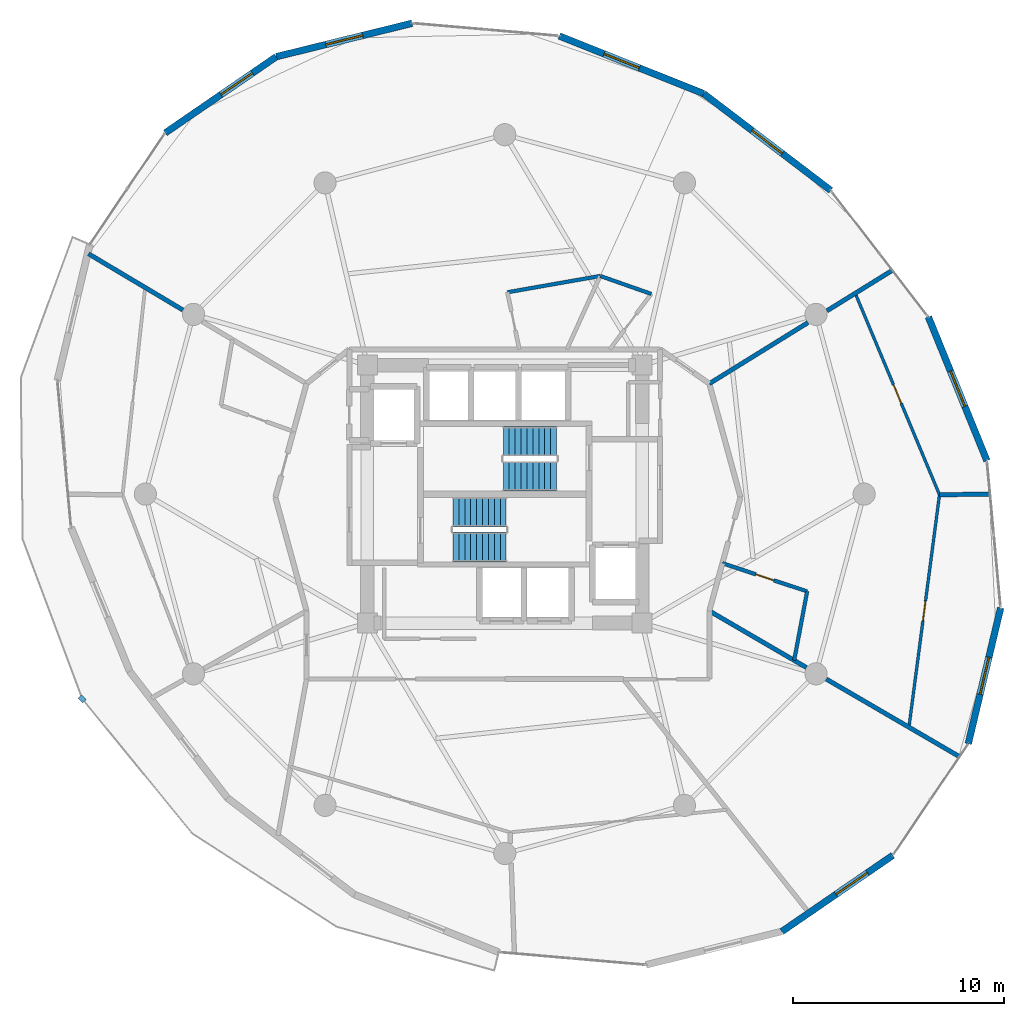
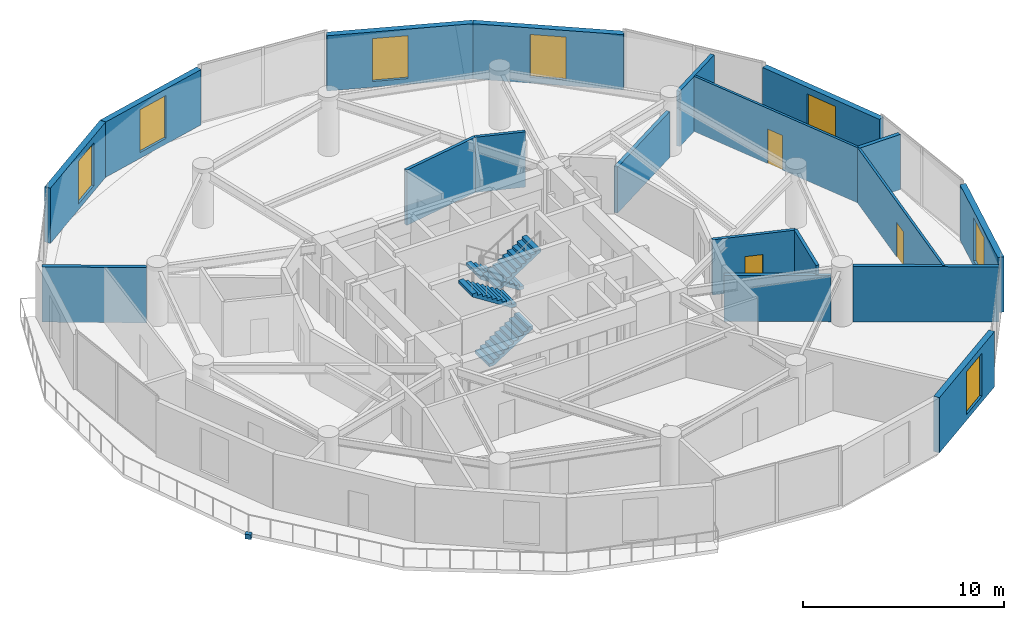
# One storey, part 20 of 22: 19 walls, 7 windows, 4 stair flights, 3 doors, 1 discrete accessory, 10 openings, 2 elements without a shape of their own.
"""IFC4 building model written with IfcOpenShell, lengths in metres."""

from ifc_helpers import new_model, si_unit, direction, frame, frame_2d, origin, origin_2d, place, context, subcontext, project, spatial, polyline, rectangle, outline, extrude, material, layer, layer_set, type_object, element, fill, aggregate, save


model = new_model("IFC4")

# Units and contexts
model_context = context("Model", 3, precision=1e-05, world=origin(), true_north=direction((0.0, 1.0)))
body_context = subcontext(model_context, "Body", "Model", "MODEL_VIEW")
ifc_project = project(units=[si_unit("LENGTHUNIT", "METRE"), si_unit("AREAUNIT", "SQUARE_METRE"), si_unit("VOLUMEUNIT", "CUBIC_METRE"), si_unit("PLANEANGLEUNIT", "RADIAN"), si_unit("MASSUNIT", "GRAM", prefix="KILO")], contexts=[model_context])

# Site, building, storey
site_placement = place(None, origin())
site = spatial("IfcSite", under=ifc_project, at=site_placement, CompositionType="ELEMENT")
building_placement = place(site_placement, origin())
building = spatial("IfcBuilding", under=site, at=building_placement, Name="Solvirekh Grand Hotel", CompositionType="ELEMENT")
storey_placement = place(building_placement, frame((0.0, 0.0, 145.800048828125)))
storey = spatial("IfcBuildingStorey", under=building, at=storey_placement, Name="L37", CompositionType="ELEMENT", Elevation=145.800048828125)

# Wall, opening, window
ifc_material_1 = material(Name="Precast concrete C45/55", Category="concrete")
ifc_layer_1 = layer(ifc_material_1, 0.320068359375)
ifc_layer_set_1 = layer_set([ifc_layer_1], Name="Precast concrete C45/55")
wall_type_1 = type_object("IfcWallType", Name="ExtLobbyWall_RC320", PredefinedType="SOLIDWALL", material=ifc_layer_set_1)
wall_1_placement = place(storey_placement, frame((23.4580078125, -5.3779296875, 0.0), z_axis=(0.0, 0.0, 1.0), x_axis=(-0.231941586556, -0.972729716019, 0.0)))
wall_1 = element("IfcWall", 1, at=wall_1_placement, inside=storey, type_object=wall_type_1, Name="L37 exterior structural wall chord 2", PredefinedType="SOLIDWALL", context=body_context, shape_type="SweptSolid", body=[
    extrude(rectangle(XDim=6.613525390625, YDim=0.320068359375, at=frame_2d((3.306640625, 0.0))), origin(), (0.0, 0.0, 1.0), 3.349853515625),
])
opening_1_placement = place(wall_1_placement, frame((2.406982421875, 0.0, 0.35009765625)))
opening_1 = element("IfcOpeningElement", 2, at=opening_1_placement, cuts=wall_1, Name="Opening W02", PredefinedType="OPENING", context=body_context, shape_type="SweptSolid", body=[
    extrude(rectangle(XDim=1.800048828125, YDim=2.60009765625, at=frame_2d((0.89990234375, 1.300048828125))), frame((0.0, 0.169921875, 0.0), z_axis=(0.0, -1.0, 0.0), x_axis=(1.0, 0.0, 0.0)), (0.0, 0.0, 1.0), 0.340087890625),
])
ifc_material_2 = material(Name="Low-E Tinted Bronze Laminated Glass", Category="aluminium")
window_type = type_object("IfcWindowType", Name="Win_LobbyExt_1800X2600", PartitioningType="SINGLE_PANEL", PredefinedType="WINDOW", material=ifc_material_2)
window_1_placement = place(opening_1_placement, origin())
window_1 = element("IfcWindow", 3, at=window_1_placement, inside=storey, type_object=window_type, Name="L37 panoramic bronze-framed window 2", OverallHeight=2.60009765625, OverallWidth=1.800048828125, PartitioningType="SINGLE_PANEL", PredefinedType="WINDOW", context=body_context, shape_type="SweptSolid", body=[
    extrude(rectangle(XDim=1.800048828125, YDim=2.60009765625, at=frame_2d((0.89990234375, 1.300048828125))), frame((0.0, 0.030029296875, 0.0), z_axis=(0.0, -1.0, 0.0), x_axis=(1.0, 0.0, 0.0)), (0.0, 0.0, 1.0), 0.06005859375),
])
fill(opening_1, window_1)

wall_2_placement = place(storey_placement, frame((20.0380859375, 8.385009765625, 0.0), z_axis=(0.0, 0.0, 1.0), x_axis=(0.377067798902, -0.926185659051, 0.0)))
wall_2 = element("IfcWall", 4, at=wall_2_placement, inside=storey, type_object=wall_type_1, Name="L37 exterior structural wall chord 4", PredefinedType="SOLIDWALL", context=body_context, shape_type="SweptSolid", body=[
    extrude(rectangle(XDim=7.34619140625, YDim=0.320068359375, at=frame_2d((3.673095703125, 0.0))), origin(), (0.0, 0.0, 1.0), 3.349853515625),
])
opening_2_placement = place(wall_2_placement, frame((2.77294921875, 0.0, 0.35009765625)))
opening_2 = element("IfcOpeningElement", 5, at=opening_2_placement, cuts=wall_2, Name="Opening W02", PredefinedType="OPENING", context=body_context, shape_type="SweptSolid", body=[
    extrude(rectangle(XDim=1.800048828125, YDim=2.60009765625, at=frame_2d((0.89990234375, 1.300048828125))), frame((0.0, 0.169921875, 0.0), z_axis=(0.0, -1.0, 0.0), x_axis=(1.0, 0.0, 0.0)), (0.0, 0.0, 1.0), 0.340087890625),
])
window_2_placement = place(opening_2_placement, origin())
window_2 = element("IfcWindow", 6, at=window_2_placement, inside=storey, type_object=window_type, Name="L37 panoramic bronze-framed window 4", OverallHeight=2.60009765625, OverallWidth=1.800048828125, PartitioningType="SINGLE_PANEL", PredefinedType="WINDOW", context=body_context, shape_type="SweptSolid", body=[
    extrude(rectangle(XDim=1.800048828125, YDim=2.60009765625, at=frame_2d((0.89990234375, 1.300048828125))), frame((0.0, 0.030029296875, 0.0), z_axis=(0.0, -1.0, 0.0), x_axis=(1.0, 0.0, 0.0)), (0.0, 0.0, 1.0), 0.06005859375),
])
fill(opening_2, window_2)

wall_3_placement = place(storey_placement, frame((9.403076171875, 18.946044921875, 0.0), z_axis=(0.0, 0.0, 1.0), x_axis=(0.795837829304, -0.605509826054, 0.0)))
wall_3 = element("IfcWall", 7, at=wall_3_placement, inside=storey, type_object=wall_type_1, Name="L37 exterior structural wall chord 6", PredefinedType="SOLIDWALL", context=body_context, shape_type="SweptSolid", body=[
    extrude(rectangle(XDim=7.55908203125, YDim=0.320068359375, at=frame_2d((3.779541015625, 0.0))), origin(), (0.0, 0.0, 1.0), 3.349853515625),
])
opening_3_placement = place(wall_3_placement, frame((2.8798828125, 0.0, 0.35009765625)))
opening_3 = element("IfcOpeningElement", 8, at=opening_3_placement, cuts=wall_3, Name="Opening W02", PredefinedType="OPENING", context=body_context, shape_type="SweptSolid", body=[
    extrude(rectangle(XDim=1.800048828125, YDim=2.60009765625, at=frame_2d((0.89990234375, 1.300048828125))), frame((0.0, 0.169921875, 0.0), z_axis=(0.0, -1.0, 0.0), x_axis=(1.0, 0.0, 0.0)), (0.0, 0.0, 1.0), 0.340087890625),
])
window_3_placement = place(opening_3_placement, origin())
window_3 = element("IfcWindow", 9, at=window_3_placement, inside=storey, type_object=window_type, Name="L37 panoramic bronze-framed window 6", OverallHeight=2.60009765625, OverallWidth=1.800048828125, PartitioningType="SINGLE_PANEL", PredefinedType="WINDOW", context=body_context, shape_type="SweptSolid", body=[
    extrude(rectangle(XDim=1.800048828125, YDim=2.60009765625, at=frame_2d((0.89990234375, 1.300048828125))), frame((0.0, 0.030029296875, 0.0), z_axis=(0.0, -1.0, 0.0), x_axis=(1.0, 0.0, 0.0)), (0.0, 0.0, 1.0), 0.06005859375),
])
fill(opening_3, window_3)

wall_4_placement = place(storey_placement, frame((2.580078125, 21.66796875, 0.0), z_axis=(0.0, 0.0, 1.0), x_axis=(0.928817816333, -0.37053672431, 0.0)))
wall_4 = element("IfcWall", 10, at=wall_4_placement, inside=storey, type_object=wall_type_1, Name="L37 exterior structural wall chord 7", PredefinedType="SOLIDWALL", context=body_context, shape_type="SweptSolid", body=[
    extrude(rectangle(XDim=7.345947265625, YDim=0.320068359375, at=frame_2d((3.6728515625, 0.0))), origin(), (0.0, 0.0, 1.0), 3.349853515625),
])
opening_4_placement = place(wall_4_placement, frame((2.280029296875, 0.0, 0.35009765625)))
opening_4 = element("IfcOpeningElement", 11, at=opening_4_placement, cuts=wall_4, Name="Opening W02", PredefinedType="OPENING", context=body_context, shape_type="SweptSolid", body=[
    extrude(rectangle(XDim=1.800048828125, YDim=2.60009765625, at=frame_2d((0.89990234375, 1.300048828125))), frame((0.0, 0.169921875, 0.0), z_axis=(0.0, -1.0, 0.0), x_axis=(1.0, 0.0, 0.0)), (0.0, 0.0, 1.0), 0.340087890625),
])
window_4_placement = place(opening_4_placement, origin())
window_4 = element("IfcWindow", 12, at=window_4_placement, inside=storey, type_object=window_type, Name="L37 panoramic bronze-framed window 7", OverallHeight=2.60009765625, OverallWidth=1.800048828125, PartitioningType="SINGLE_PANEL", PredefinedType="WINDOW", context=body_context, shape_type="SweptSolid", body=[
    extrude(rectangle(XDim=1.800048828125, YDim=2.60009765625, at=frame_2d((0.89990234375, 1.300048828125))), frame((0.0, 0.030029296875, 0.0), z_axis=(0.0, -1.0, 0.0), x_axis=(1.0, 0.0, 0.0)), (0.0, 0.0, 1.0), 0.06005859375),
])
fill(opening_4, window_4)

wall_5_placement = place(storey_placement, frame((-10.805908203125, 20.69091796875, 0.0), z_axis=(0.0, 0.0, 1.0), x_axis=(0.971073377094, 0.238781272926, 0.0)))
wall_5 = element("IfcWall", 13, at=wall_5_placement, inside=storey, type_object=wall_type_1, Name="L37 exterior structural wall chord 9", PredefinedType="SOLIDWALL", context=body_context, shape_type="SweptSolid", body=[
    extrude(rectangle(XDim=6.61328125, YDim=0.320068359375, at=frame_2d((3.306640625, 0.0))), origin(), (0.0, 0.0, 1.0), 3.349853515625),
])
opening_5_placement = place(wall_5_placement, frame((2.406982421875, 0.0, 0.35009765625)))
opening_5 = element("IfcOpeningElement", 14, at=opening_5_placement, cuts=wall_5, Name="Opening W02", PredefinedType="OPENING", context=body_context, shape_type="SweptSolid", body=[
    extrude(rectangle(XDim=1.800048828125, YDim=2.60009765625, at=frame_2d((0.89990234375, 1.300048828125))), frame((0.0, 0.169921875, 0.0), z_axis=(0.0, -1.0, 0.0), x_axis=(1.0, 0.0, 0.0)), (0.0, 0.0, 1.0), 0.340087890625),
])
window_5_placement = place(opening_5_placement, origin())
window_5 = element("IfcWindow", 15, at=window_5_placement, inside=storey, type_object=window_type, Name="L37 panoramic bronze-framed window 9", OverallHeight=2.60009765625, OverallWidth=1.800048828125, PartitioningType="SINGLE_PANEL", PredefinedType="WINDOW", context=body_context, shape_type="SweptSolid", body=[
    extrude(rectangle(XDim=1.800048828125, YDim=2.60009765625, at=frame_2d((0.89990234375, 1.300048828125))), frame((0.0, 0.030029296875, 0.0), z_axis=(0.0, -1.0, 0.0), x_axis=(1.0, 0.0, 0.0)), (0.0, 0.0, 1.0), 0.06005859375),
])
fill(opening_5, window_5)

wall_6_placement = place(storey_placement, frame((-16.056884765625, 17.0869140625, 0.0), z_axis=(0.0, 0.0, 1.0), x_axis=(0.824484596177, 0.565884396911, 0.0)))
wall_6 = element("IfcWall", 16, at=wall_6_placement, inside=storey, type_object=wall_type_1, Name="L37 exterior structural wall chord 10", PredefinedType="SOLIDWALL", context=body_context, shape_type="SweptSolid", body=[
    extrude(rectangle(XDim=6.368896484375, YDim=0.320068359375, at=frame_2d((3.1845703125, 0.0))), origin(), (0.0, 0.0, 1.0), 3.349853515625),
])
opening_6_placement = place(wall_6_placement, frame((3.200927734375, 0.0, 0.35009765625)))
opening_6 = element("IfcOpeningElement", 17, at=opening_6_placement, cuts=wall_6, Name="Opening W02", PredefinedType="OPENING", context=body_context, shape_type="SweptSolid", body=[
    extrude(rectangle(XDim=1.800048828125, YDim=2.60009765625, at=frame_2d((0.89990234375, 1.300048828125))), frame((0.0, 0.169921875, 0.0), z_axis=(0.0, -1.0, 0.0), x_axis=(1.0, 0.0, 0.0)), (0.0, 0.0, 1.0), 0.340087890625),
])
window_6_placement = place(opening_6_placement, origin())
window_6 = element("IfcWindow", 18, at=window_6_placement, inside=storey, type_object=window_type, Name="L37 panoramic bronze-framed window 10", OverallHeight=2.60009765625, OverallWidth=1.800048828125, PartitioningType="SINGLE_PANEL", PredefinedType="WINDOW", context=body_context, shape_type="SweptSolid", body=[
    extrude(rectangle(XDim=1.800048828125, YDim=2.60009765625, at=frame_2d((0.89990234375, 1.300048828125))), frame((0.0, 0.030029296875, 0.0), z_axis=(0.0, -1.0, 0.0), x_axis=(1.0, 0.0, 0.0)), (0.0, 0.0, 1.0), 0.06005859375),
])
fill(opening_6, window_6)

wall_7_placement = place(storey_placement, frame((18.35693359375, -17.0869140625, 0.0), z_axis=(0.0, 0.0, 1.0), x_axis=(-0.824484596177, -0.565884396911, 0.0)))
wall_7 = element("IfcWall", 19, at=wall_7_placement, inside=storey, type_object=wall_type_1, Name="L37 exterior structural wall chord 20", PredefinedType="SOLIDWALL", context=body_context, shape_type="SweptSolid", body=[
    extrude(rectangle(XDim=6.368896484375, YDim=0.320068359375, at=frame_2d((3.1845703125, 0.0))), origin(), (0.0, 0.0, 1.0), 3.349853515625),
])
opening_7_placement = place(wall_7_placement, frame((1.455078125, 0.0, 0.35009765625)))
opening_7 = element("IfcOpeningElement", 20, at=opening_7_placement, cuts=wall_7, Name="Opening W02", PredefinedType="OPENING", context=body_context, shape_type="SweptSolid", body=[
    extrude(rectangle(XDim=1.800048828125, YDim=2.60009765625, at=frame_2d((0.89990234375, 1.300048828125))), frame((0.0, 0.169921875, 0.0), z_axis=(0.0, -1.0, 0.0), x_axis=(1.0, 0.0, 0.0)), (0.0, 0.0, 1.0), 0.340087890625),
])
window_7_placement = place(opening_7_placement, origin())
window_7 = element("IfcWindow", 21, at=window_7_placement, inside=storey, type_object=window_type, Name="L37 panoramic bronze-framed window 20", OverallHeight=2.60009765625, OverallWidth=1.800048828125, PartitioningType="SINGLE_PANEL", PredefinedType="WINDOW", context=body_context, shape_type="SweptSolid", body=[
    extrude(rectangle(XDim=1.800048828125, YDim=2.60009765625, at=frame_2d((0.89990234375, 1.300048828125))), frame((0.0, 0.030029296875, 0.0), z_axis=(0.0, -1.0, 0.0), x_axis=(1.0, 0.0, 0.0)), (0.0, 0.0, 1.0), 0.06005859375),
])
fill(opening_7, window_7)

# Wall, opening, door
ifc_material_3 = material(Name="Acoustic Gypsum Partition Assembly")
ifc_layer_2 = layer(ifc_material_3, 0.135009765625)
ifc_layer_set_2 = layer_set([ifc_layer_2], Name="Acoustic Gypsum Partition Assembly")
wall_type_2 = type_object("IfcWallType", Name="Part_RoomInt_135", PredefinedType="PARTITIONING", material=ifc_layer_set_2)
wall_8_placement = place(storey_placement, frame((19.117919921875, -11.02490234375, 0.0), z_axis=(0.0, 0.0, 1.0), x_axis=(0.130310428057, 0.991473243381, 0.0)))
wall_8 = element("IfcWall", 22, at=wall_8_placement, inside=storey, type_object=wall_type_2, Name="L37 Executive Suite 3904 Living Room bedroom screen wall", PredefinedType="PARTITIONING", context=body_context, shape_type="SweptSolid", body=[
    extrude(rectangle(XDim=11.08935546875, YDim=0.135009765625, at=frame_2d((5.544677734375, 0.0))), origin(), (0.0, 0.0, 1.0), 3.349853515625),
])
opening_8_placement = place(wall_8_placement, frame((5.070068359375, 0.0, 0.0)))
opening_8 = element("IfcOpeningElement", 23, at=opening_8_placement, cuts=wall_8, Name="Opening D10", PredefinedType="OPENING", context=body_context, shape_type="SweptSolid", body=[
    extrude(rectangle(XDim=0.949951171875, YDim=2.10009765625, at=frame_2d((0.47509765625, 1.050048828125))), frame((0.0, 0.07763671875, 0.0), z_axis=(0.0, -1.0, 0.0), x_axis=(1.0, 0.0, 0.0)), (0.0, 0.0, 1.0), 0.155029296875),
])
ifc_material_4 = material(Name="Anodized Bronze Aluminium 6063-T6", Category="aluminium")
door_type_1 = type_object("IfcDoorType", Name="Door_RoomInt_950X2100", OperationType="NOTDEFINED", PredefinedType="DOOR", material=ifc_material_4)
door_1_placement = place(opening_8_placement, origin())
door_1 = element("IfcDoor", 24, at=door_1_placement, inside=storey, type_object=door_type_1, Name="L37 Executive Suite 3904 Living Room master bedroom door", OperationType="SINGLE_SWING_LEFT", OverallHeight=2.10009765625, OverallWidth=0.949951171875, PredefinedType="DOOR", context=body_context, shape_type="SweptSolid", body=[
    extrude(rectangle(XDim=0.949951171875, YDim=2.10009765625, at=frame_2d((0.47509765625, 1.050048828125))), frame((0.0, 0.02490234375, 0.0), z_axis=(0.0, -1.0, 0.0), x_axis=(1.0, 0.0, 0.0)), (0.0, 0.0, 1.0), 0.050048828125),
])
fill(opening_8, door_1)

wall_9_placement = place(storey_placement, frame((20.56298828125, -0.030029296875, 0.0), z_axis=(0.0, 0.0, 1.0), x_axis=(-0.385825151615, 0.922571922606, 0.0)))
wall_9 = element("IfcWall", 25, at=wall_9_placement, inside=storey, type_object=wall_type_2, Name="L37 Executive Suite 3904 Panorama Suite Study bedroom screen wall", PredefinedType="PARTITIONING", context=body_context, shape_type="SweptSolid", body=[
    extrude(rectangle(XDim=10.328857421875, YDim=0.135009765625, at=frame_2d((5.16455078125, 0.0))), origin(), (0.0, 0.0, 1.0), 3.349853515625),
])
opening_9_placement = place(wall_9_placement, frame((4.68896484375, 0.0, 0.0)))
opening_9 = element("IfcOpeningElement", 26, at=opening_9_placement, cuts=wall_9, Name="Opening D10", PredefinedType="OPENING", context=body_context, shape_type="SweptSolid", body=[
    extrude(rectangle(XDim=0.949951171875, YDim=2.10009765625, at=frame_2d((0.47509765625, 1.050048828125))), frame((0.0, 0.07763671875, 0.0), z_axis=(0.0, -1.0, 0.0), x_axis=(1.0, 0.0, 0.0)), (0.0, 0.0, 1.0), 0.155029296875),
])
door_2_placement = place(opening_9_placement, origin())
door_2 = element("IfcDoor", 27, at=door_2_placement, inside=storey, type_object=door_type_1, Name="L37 Executive Suite 3904 Panorama Suite Study master bedroom door", OperationType="SINGLE_SWING_RIGHT", OverallHeight=2.10009765625, OverallWidth=0.949951171875, PredefinedType="DOOR", context=body_context, shape_type="SweptSolid", body=[
    extrude(rectangle(XDim=0.949951171875, YDim=2.10009765625, at=frame_2d((0.47509765625, 1.050048828125))), frame((0.0, 0.02490234375, 0.0), z_axis=(0.0, -1.0, 0.0), x_axis=(1.0, 0.0, 0.0)), (0.0, 0.0, 1.0), 0.050048828125),
])
fill(opening_9, door_2)

# Walls
ifc_layer_3 = layer(ifc_material_3, 0.2099609375)
ifc_layer_set_3 = layer_set([ifc_layer_3], Name="Acoustic Gypsum Partition Assembly")
wall_type_3 = type_object("IfcWallType", Name="Part_SuiteDemise_210", PredefinedType="PARTITIONING", material=ifc_layer_set_3)
wall_10_placement = place(storey_placement, frame((9.676025390625, 5.22509765625, 0.0), z_axis=(0.0, 0.0, 1.0), x_axis=(0.850241428679, 0.526392926394, 0.0)))
element("IfcWall", 28, at=wall_10_placement, inside=storey, type_object=wall_type_3, Name="L37 suite radial wall 2 (A)", PredefinedType="PARTITIONING", context=body_context, shape_type="SweptSolid", body=[
    extrude(rectangle(XDim=5.484375, YDim=0.2099609375, at=frame_2d((2.7421875, 0.0))), origin(), (0.0, 0.0, 1.0), 2.791015625),
])
wall_11_placement = place(storey_placement, frame((15.239990234375, 8.669921875, 0.0), z_axis=(0.0, 0.0, 1.0), x_axis=(0.850161151971, 0.526522569012, 0.0)))
element("IfcWall", 29, at=wall_11_placement, inside=storey, type_object=wall_type_3, Name="L37 suite radial wall 2 (B)", PredefinedType="PARTITIONING", context=body_context, shape_type="SweptSolid", body=[
    extrude(rectangle(XDim=3.602783203125, YDim=0.2099609375, at=frame_2d((1.80126953125, 0.0))), origin(), (0.0, 0.0, 1.0), 3.349853515625),
])
wall_12_placement = place(storey_placement, frame((-15.22509765625, 8.708984375, 0.0), z_axis=(0.0, 0.0, 1.0), x_axis=(-0.859183721652, 0.511667208689, 0.0)))
element("IfcWall", 30, at=wall_12_placement, inside=storey, type_object=wall_type_3, Name="L37 suite radial wall 6 (B)", PredefinedType="PARTITIONING", context=body_context, shape_type="SweptSolid", body=[
    extrude(rectangle(XDim=5.196533203125, YDim=0.2099609375, at=frame_2d((2.59814453125, 0.0))), origin(), (0.0, 0.0, 1.0), 3.349853515625),
])
wall_13_placement = place(storey_placement, frame((9.676025390625, -5.52490234375, 0.0), z_axis=(0.0, 0.0, 1.0), x_axis=(0.864030429533, -0.503439586088, 0.0)))
element("IfcWall", 31, at=wall_13_placement, inside=storey, type_object=wall_type_3, Name="L37 suite radial wall 12 (A)", PredefinedType="PARTITIONING", context=body_context, shape_type="SweptSolid", body=[
    extrude(rectangle(XDim=5.3134765625, YDim=0.2099609375, at=frame_2d((2.65673828125, 0.0))), origin(), (0.0, 0.0, 1.0), 2.791015625),
])
wall_14_placement = place(storey_placement, frame((15.2080078125, -8.7470703125, 0.0), z_axis=(0.0, 0.0, 1.0), x_axis=(0.864059428721, -0.503389812808, 0.0)))
element("IfcWall", 32, at=wall_14_placement, inside=storey, type_object=wall_type_3, Name="L37 suite radial wall 12 (B)", PredefinedType="PARTITIONING", context=body_context, shape_type="SweptSolid", body=[
    extrude(rectangle(XDim=7.25634765625, YDim=0.2099609375, at=frame_2d((3.628173828125, 0.0))), origin(), (0.0, 0.0, 1.0), 3.349853515625),
])
wall_15_placement = place(storey_placement, frame((20.56298828125, -0.030029296875, 0.0), z_axis=(0.0, 0.0, 1.0), x_axis=(0.99991857583, 0.01276094468, 0.0)))
element("IfcWall", 33, at=wall_15_placement, inside=storey, type_object=wall_type_3, Name="L37 Executive Suite 3904 Living Room dividing partition 1", PredefinedType="PARTITIONING", context=body_context, shape_type="SweptSolid", body=[
    extrude(rectangle(XDim=2.353271484375, YDim=0.2099609375, at=frame_2d((1.1767578125, 0.0))), origin(), (0.0, 0.0, 1.0), 3.349853515625),
])
ifc_layer_4 = layer(ifc_material_3, 0.175048828125)
ifc_layer_set_4 = layer_set([ifc_layer_4], Name="Acoustic Gypsum Partition Assembly")
wall_type_4 = type_object("IfcWallType", Name="Plumb_Ensuite_175", PredefinedType="PLUMBINGWALL", material=ifc_layer_set_4)
wall_16_placement = place(storey_placement, frame((4.514892578125, 10.318115234375, 0.0), z_axis=(0.0, 0.0, 1.0), x_axis=(0.943387567364, -0.331692474655, 0.0)))
element("IfcWall", 34, at=wall_16_placement, inside=storey, type_object=wall_type_4, Name="L37 En-suite Bathroom 3901 outer plumbing wall", PredefinedType="PLUMBINGWALL", context=body_context, shape_type="SweptSolid", body=[
    extrude(rectangle(XDim=2.56005859375, YDim=0.175048828125, at=frame_2d((1.280029296875, 0.0))), origin(), (0.0, 0.0, 1.0), 3.349853515625),
])
wall_17_placement = place(storey_placement, frame((0.1259765625, 9.547119140625, 0.0), z_axis=(0.0, 0.0, 1.0), x_axis=(0.984918391832, 0.173019540602, 0.0)))
element("IfcWall", 35, at=wall_17_placement, inside=storey, type_object=wall_type_4, Name="L37 En-suite Bathroom 3902 outer plumbing wall", PredefinedType="PLUMBINGWALL", context=body_context, shape_type="SweptSolid", body=[
    extrude(rectangle(XDim=4.4560546875, YDim=0.175048828125, at=frame_2d((2.22802734375, 0.0))), origin(), (0.0, 0.0, 1.0), 3.349853515625),
])
wall_18_placement = place(storey_placement, frame((13.68896484375, -7.863037109375, 0.0), z_axis=(0.0, 0.0, 1.0), x_axis=(0.185039216189, 0.982731137429, 0.0)))
element("IfcWall", 36, at=wall_18_placement, inside=storey, type_object=wall_type_4, Name="L37 En-suite Bathroom 3904 outer plumbing wall", PredefinedType="PLUMBINGWALL", context=body_context, shape_type="SweptSolid", body=[
    extrude(rectangle(XDim=3.318359375, YDim=0.175048828125, at=frame_2d((1.6591796875, 0.0))), origin(), (0.0, 0.0, 1.0), 3.349853515625),
])

# Wall, opening, door
wall_19_placement = place(storey_placement, frame((10.294921875, -3.26806640625, 0.0), z_axis=(0.0, 0.0, 1.0), x_axis=(0.948827687615, -0.315794267231, 0.0)))
wall_19 = element("IfcWall", 37, at=wall_19_placement, inside=storey, type_object=wall_type_4, Name="L37 En-suite Bathroom 3904 entry plumbing wall", PredefinedType="PLUMBINGWALL", context=body_context, shape_type="SweptSolid", body=[
    extrude(rectangle(XDim=4.22412109375, YDim=0.175048828125, at=frame_2d((2.112060546875, 0.0))), origin(), (0.0, 0.0, 1.0), 3.349853515625),
])
opening_10_placement = place(wall_19_placement, frame((1.662109375, 0.0, 0.0)))
opening_10 = element("IfcOpeningElement", 38, at=opening_10_placement, cuts=wall_19, Name="Opening D09", PredefinedType="OPENING", context=body_context, shape_type="SweptSolid", body=[
    extrude(rectangle(XDim=0.89990234375, YDim=2.10009765625, at=frame_2d((0.449951171875, 1.050048828125))), frame((0.0, 0.09765625, 0.0), z_axis=(0.0, -1.0, 0.0), x_axis=(1.0, 0.0, 0.0)), (0.0, 0.0, 1.0), 0.195068359375),
])
door_type_2 = type_object("IfcDoorType", Name="Door_Ensuite_900X2100", OperationType="NOTDEFINED", PredefinedType="DOOR", material=ifc_material_4)
door_3_placement = place(opening_10_placement, origin())
door_3 = element("IfcDoor", 39, at=door_3_placement, inside=storey, type_object=door_type_2, Name="L37 En-suite Bathroom 3904 door", OperationType="SINGLE_SWING_LEFT", OverallHeight=2.10009765625, OverallWidth=0.89990234375, PredefinedType="DOOR", context=body_context, shape_type="SweptSolid", body=[
    extrude(rectangle(XDim=0.89990234375, YDim=2.10009765625, at=frame_2d((0.449951171875, 1.050048828125))), frame((0.0, 0.02490234375, 0.0), z_axis=(0.0, -1.0, 0.0), x_axis=(1.0, 0.0, 0.0)), (0.0, 0.0, 1.0), 0.050048828125),
])
fill(opening_10, door_3)

# Stair, stair flights
ifc_material_5 = material(Name="Concrete C40/50", Category="concrete")
stair_type = type_object("IfcStairType", Name="Stair_Core_1450", PredefinedType="HALF_TURN_STAIR", material=ifc_material_5)
stair_1_placement = place(storey_placement, origin())
stair_1 = element("IfcStair", 40, at=stair_1_placement, inside=storey, type_object=stair_type, Name="L37 Enclosed exit stair ST-1", PredefinedType="HALF_TURN_STAIR")
stair_flight_type = type_object("IfcStairFlightType", Name="Flight_Core_1450", PredefinedType="STRAIGHT", material=ifc_material_5)
stair_flight_1_placement = place(storey_placement, frame((-2.449951171875, -2.5, 0.0), z_axis=(0.0, 0.0, 1.0), x_axis=(1.0, 0.0, 0.0)))
stair_flight_1 = element("IfcStairFlight", 41, at=stair_flight_1_placement, type_object=stair_flight_type, Name="ST-1 flight 1", NumberOfRisers=10, NumberOfTreads=9, PredefinedType="STRAIGHT", RiserHeight=0.18, TreadLength=0.28, context=body_context, shape_type="SweptSolid", body=[
    extrude(outline(polyline([(0.0, 0.0), (0.0, 0.179931640625), (0.280029296875, 0.179931640625), (0.280029296875, 0.360107421875), (0.56005859375, 0.360107421875), (0.56005859375, 0.5400390625), (0.840087890625, 0.5400390625), (0.840087890625, 0.719970703125), (1.1201171875, 0.719970703125), (1.1201171875, 0.89990234375), (1.39990234375, 0.89990234375), (1.39990234375, 1.080078125), (1.679931640625, 1.080078125), (1.679931640625, 1.260009765625), (1.9599609375, 1.260009765625), (1.9599609375, 1.43994140625), (2.239990234375, 1.43994140625), (2.239990234375, 1.6201171875), (2.52001953125, 1.6201171875), (2.52001953125, 1.800048828125), (2.52001953125, 1.44189453125), (0.277099609375, 0.0), (0.0, 0.0)])), frame((0.0, 0.699951171875, 0.0), z_axis=(0.0, -1.0, 0.0), x_axis=(1.0, 0.0, 0.0)), (0.0, 0.0, 1.0), 1.39990234375),
])
stair_flight_2_placement = place(storey_placement, frame((0.070068359375, -0.85009765625, 1.800048828125), z_axis=(0.0, 0.0, 1.0), x_axis=(-1.0, 0.0, 0.0)))
stair_flight_2 = element("IfcStairFlight", 42, at=stair_flight_2_placement, type_object=stair_flight_type, Name="ST-1 flight 2", NumberOfRisers=10, NumberOfTreads=9, PredefinedType="STRAIGHT", RiserHeight=0.18, TreadLength=0.28, context=body_context, shape_type="SweptSolid", body=[
    extrude(outline(polyline([(0.0, 0.0), (0.0, 0.179931640625), (0.280029296875, 0.179931640625), (0.280029296875, 0.360107421875), (0.56005859375, 0.360107421875), (0.56005859375, 0.5400390625), (0.840087890625, 0.5400390625), (0.840087890625, 0.719970703125), (1.1201171875, 0.719970703125), (1.1201171875, 0.89990234375), (1.39990234375, 0.89990234375), (1.39990234375, 1.080078125), (1.679931640625, 1.080078125), (1.679931640625, 1.260009765625), (1.9599609375, 1.260009765625), (1.9599609375, 1.43994140625), (2.239990234375, 1.43994140625), (2.239990234375, 1.6201171875), (2.52001953125, 1.6201171875), (2.52001953125, 1.800048828125), (2.52001953125, 1.44189453125), (0.277099609375, 0.0), (0.0, 0.0)])), frame((0.0, 0.699951171875, 0.0), z_axis=(0.0, -1.0, 0.0), x_axis=(1.0, 0.0, 0.0)), (0.0, 0.0, 1.0), 1.39990234375),
])
aggregate(stair_1, [stair_flight_1, stair_flight_2])

stair_2_placement = place(storey_placement, origin())
stair_2 = element("IfcStair", 43, at=stair_2_placement, inside=storey, type_object=stair_type, Name="L37 Enclosed exit stair ST-2", PredefinedType="HALF_TURN_STAIR")
stair_flight_3_placement = place(storey_placement, frame((2.449951171875, 2.5, 0.0), z_axis=(0.0, 0.0, 1.0), x_axis=(-1.0, 0.0, 0.0)))
stair_flight_3 = element("IfcStairFlight", 44, at=stair_flight_3_placement, type_object=stair_flight_type, Name="ST-2 flight 1", NumberOfRisers=10, NumberOfTreads=9, PredefinedType="STRAIGHT", RiserHeight=0.18, TreadLength=0.28, context=body_context, shape_type="SweptSolid", body=[
    extrude(outline(polyline([(0.0, 0.0), (0.0, 0.179931640625), (0.280029296875, 0.179931640625), (0.280029296875, 0.360107421875), (0.56005859375, 0.360107421875), (0.56005859375, 0.5400390625), (0.840087890625, 0.5400390625), (0.840087890625, 0.719970703125), (1.1201171875, 0.719970703125), (1.1201171875, 0.89990234375), (1.39990234375, 0.89990234375), (1.39990234375, 1.080078125), (1.679931640625, 1.080078125), (1.679931640625, 1.260009765625), (1.9599609375, 1.260009765625), (1.9599609375, 1.43994140625), (2.239990234375, 1.43994140625), (2.239990234375, 1.6201171875), (2.52001953125, 1.6201171875), (2.52001953125, 1.800048828125), (2.52001953125, 1.44189453125), (0.277099609375, 0.0), (0.0, 0.0)])), frame((0.0, 0.699951171875, 0.0), z_axis=(0.0, -1.0, 0.0), x_axis=(1.0, 0.0, 0.0)), (0.0, 0.0, 1.0), 1.39990234375),
])
stair_flight_4_placement = place(storey_placement, frame((-0.070068359375, 0.85009765625, 1.800048828125), z_axis=(0.0, 0.0, 1.0), x_axis=(1.0, 0.0, 0.0)))
stair_flight_4 = element("IfcStairFlight", 45, at=stair_flight_4_placement, type_object=stair_flight_type, Name="ST-2 flight 2", NumberOfRisers=10, NumberOfTreads=9, PredefinedType="STRAIGHT", RiserHeight=0.18, TreadLength=0.28, context=body_context, shape_type="SweptSolid", body=[
    extrude(outline(polyline([(0.0, 0.0), (0.0, 0.179931640625), (0.280029296875, 0.179931640625), (0.280029296875, 0.360107421875), (0.56005859375, 0.360107421875), (0.56005859375, 0.5400390625), (0.840087890625, 0.5400390625), (0.840087890625, 0.719970703125), (1.1201171875, 0.719970703125), (1.1201171875, 0.89990234375), (1.39990234375, 0.89990234375), (1.39990234375, 1.080078125), (1.679931640625, 1.080078125), (1.679931640625, 1.260009765625), (1.9599609375, 1.260009765625), (1.9599609375, 1.43994140625), (2.239990234375, 1.43994140625), (2.239990234375, 1.6201171875), (2.52001953125, 1.6201171875), (2.52001953125, 1.800048828125), (2.52001953125, 1.44189453125), (0.277099609375, 0.0), (0.0, 0.0)])), frame((0.0, 0.699951171875, 0.0), z_axis=(0.0, -1.0, 0.0), x_axis=(1.0, 0.0, 0.0)), (0.0, 0.0, 1.0), 1.39990234375),
])
aggregate(stair_2, [stair_flight_3, stair_flight_4])

# Discrete accessory
ifc_material_6 = material(Name="Steel S355", Category="steel")
discrete_accessory_type = type_object("IfcDiscreteAccessoryType", Name="Acc_ThermalBracket", PredefinedType="BRACKET", material=ifc_material_6)
discrete_accessory_placement = place(storey_placement, frame((-19.989013671875, -9.68603515625, -0.2802734375), z_axis=(0.0, 0.0, 1.0), x_axis=(0.709570736537, -0.704634209964, 0.0)))
element("IfcDiscreteAccessory", 46, at=discrete_accessory_placement, inside=storey, type_object=discrete_accessory_type, Name="L37 balcony thermal-break bracket", PredefinedType="BRACKET", context=body_context, shape_type="SweptSolid", body=[
    extrude(rectangle(XDim=0.320068359375, YDim=0.239990234375, at=origin_2d()), origin(), (0.0, 0.0, 1.0), 0.280029296875),
])

save(model, "model.ifc")
